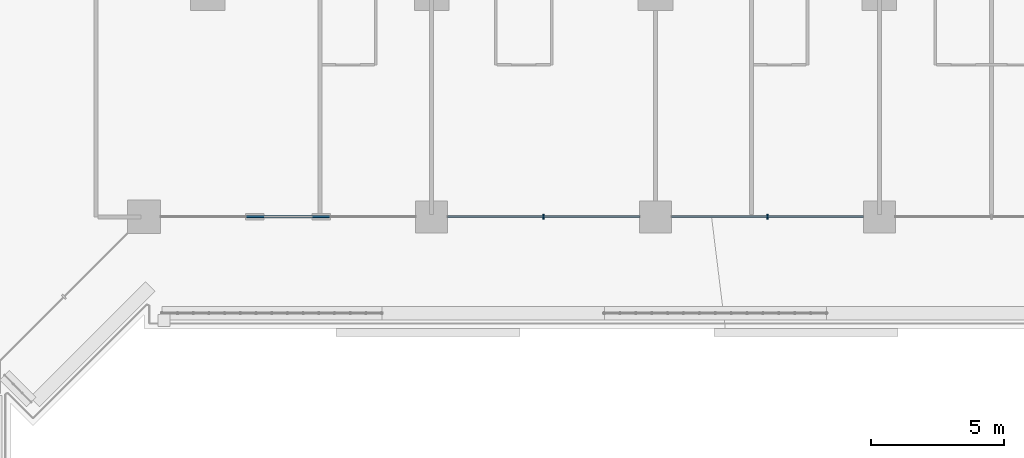
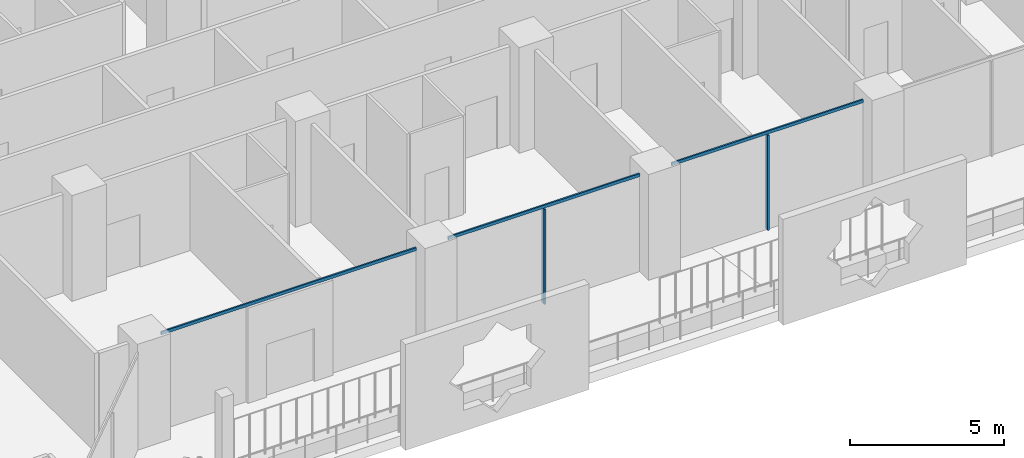
# One storey, part 6 of 27: 5 members, 1 element without a shape of its own.
"""IFC4 building model written with IfcOpenShell, lengths in metres."""

from ifc_helpers import new_model, si_unit, direction, frame, origin, origin_2d, place, context, subcontext, project, spatial, rectangle, extrude, material, layer, layer_set, material_profile, profile_set, type_object, element, aggregate, save


model = new_model("IFC4")

# Units and contexts
model_context = context("Model", 3, precision=1e-05, world=origin(), true_north=direction((0.0, 1.0)))
body_context = subcontext(model_context, "Body", "Model", "MODEL_VIEW")
ifc_project = project(units=[si_unit("LENGTHUNIT", "METRE"), si_unit("AREAUNIT", "SQUARE_METRE"), si_unit("VOLUMEUNIT", "CUBIC_METRE"), si_unit("PLANEANGLEUNIT", "RADIAN"), si_unit("MASSUNIT", "GRAM", prefix="KILO")], contexts=[model_context])

# Site, building, storey
site_placement = place(None, origin())
site = spatial("IfcSite", under=ifc_project, at=site_placement, CompositionType="ELEMENT")
building_placement = place(site_placement, origin())
building = spatial("IfcBuilding", under=site, at=building_placement, Name="Kawkab Arch Medical Tower", CompositionType="ELEMENT")
storey_placement = place(building_placement, frame((0.0, 0.0, 85.39990234375)))
storey = spatial("IfcBuildingStorey", under=building, at=storey_placement, Name="L19", CompositionType="ELEMENT", Elevation=85.39990234375)

# Curtain wall, members
ifc_material_1 = material(Name="Bronze anodised aluminium curtain wall frame", Category="aluminium")
ifc_layer = layer(ifc_material_1, 0.159912109375)
ifc_layer_set = layer_set([ifc_layer], Name="Bronze anodised aluminium curtain wall frame")
curtain_wall_type = type_object("IfcCurtainWallType", Name="CW1 ward curtain wall", PredefinedType="NOTDEFINED", material=ifc_layer_set)
curtain_wall_placement = place(storey_placement, origin())
curtain_wall = element("IfcCurtainWall", 1, at=curtain_wall_placement, inside=storey, type_object=curtain_wall_type, Name="CW1 Ward curtain wall R07", PredefinedType="NOTDEFINED")
ifc_material_2 = material(Name="Bronze anodised aluminium curtain wall frame", Category="aluminium")
ifc_material_profile_1 = material_profile(ifc_material_2, rectangle(XDim=0.179931640625, YDim=0.06005859375, at=origin_2d()), Name="AL 60x180")
ifc_profile_set_1 = profile_set([ifc_material_profile_1], Name="Bronze anodised aluminium curtain wall frame")
member_type_1 = type_object("IfcMemberType", Name="CW1 mullion 60 x 180", PredefinedType="MULLION", material=ifc_profile_set_1)
member_1_placement = place(storey_placement, frame((46.199951171875, -25.199951171875, 0.0), z_axis=(0.0, 0.0, 1.0), x_axis=(0.0, 1.0, 0.0)))
member_1 = element("IfcMember", 2, at=member_1_placement, type_object=member_type_1, Name="CW1 mullion 2.1", PredefinedType="MULLION", context=body_context, shape_type="SweptSolid", body=[
    extrude(rectangle(XDim=0.179931640625, YDim=0.06005859375, at=origin_2d()), origin(), (0.0, 0.0, 1.0), 3.780029296875),
])
member_2_placement = place(storey_placement, frame((54.60009765625, -25.199951171875, 0.0), z_axis=(0.0, 0.0, 1.0), x_axis=(0.0, 1.0, 0.0)))
member_2 = element("IfcMember", 3, at=member_2_placement, type_object=member_type_1, Name="CW1 mullion 3.1", PredefinedType="MULLION", context=body_context, shape_type="SweptSolid", body=[
    extrude(rectangle(XDim=0.179931640625, YDim=0.06005859375, at=origin_2d()), origin(), (0.0, 0.0, 1.0), 3.780029296875),
])
ifc_material_3 = material(Name="Bronze anodised aluminium curtain wall frame", Category="aluminium")
ifc_material_profile_2 = material_profile(ifc_material_3, rectangle(XDim=0.06005859375, YDim=0.1201171875, at=origin_2d()), Name="AL 60x120")
ifc_profile_set_2 = profile_set([ifc_material_profile_2], Name="Bronze anodised aluminium curtain wall frame")
member_type_2 = type_object("IfcMemberType", Name="CW1 transom 120 x 60", PredefinedType="USERDEFINED", material=ifc_profile_set_2)
member_3_placement = place(storey_placement, frame((31.824951171875, -25.199951171875, 3.840087890625), z_axis=(1.0, 0.0, 0.0), x_axis=(0.0, 1.0, 0.0)))
member_3 = element("IfcMember", 4, at=member_3_placement, type_object=member_type_2, Name="CW1 transom 1", ObjectType="TRANSOM", PredefinedType="USERDEFINED", context=body_context, shape_type="SweptSolid", body=[
    extrude(rectangle(XDim=0.06005859375, YDim=0.1201171875, at=origin_2d()), origin(), (0.0, 0.0, 1.0), 9.574951171875),
])
member_4_placement = place(storey_placement, frame((42.60009765625, -25.199951171875, 3.840087890625), z_axis=(1.0, 0.0, 0.0), x_axis=(0.0, 1.0, 0.0)))
member_4 = element("IfcMember", 5, at=member_4_placement, type_object=member_type_2, Name="CW1 transom 2", ObjectType="TRANSOM", PredefinedType="USERDEFINED", context=body_context, shape_type="SweptSolid", body=[
    extrude(rectangle(XDim=0.06005859375, YDim=0.1201171875, at=origin_2d()), origin(), (0.0, 0.0, 1.0), 7.199951171875),
])
member_5_placement = place(storey_placement, frame((51.0, -25.199951171875, 3.840087890625), z_axis=(1.0, 0.0, 0.0), x_axis=(0.0, 1.0, 0.0)))
member_5 = element("IfcMember", 6, at=member_5_placement, type_object=member_type_2, Name="CW1 transom 3", ObjectType="TRANSOM", PredefinedType="USERDEFINED", context=body_context, shape_type="SweptSolid", body=[
    extrude(rectangle(XDim=0.06005859375, YDim=0.1201171875, at=origin_2d()), origin(), (0.0, 0.0, 1.0), 7.199951171875),
])
aggregate(curtain_wall, [member_3, member_4, member_1, member_5, member_2])

save(model, "model.ifc")
